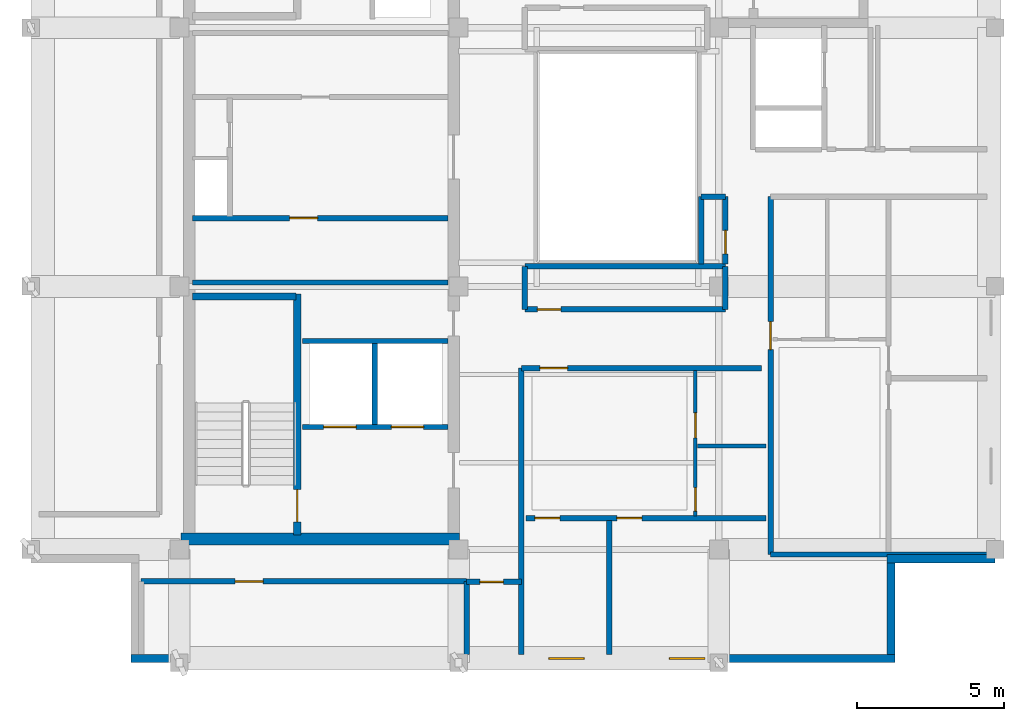
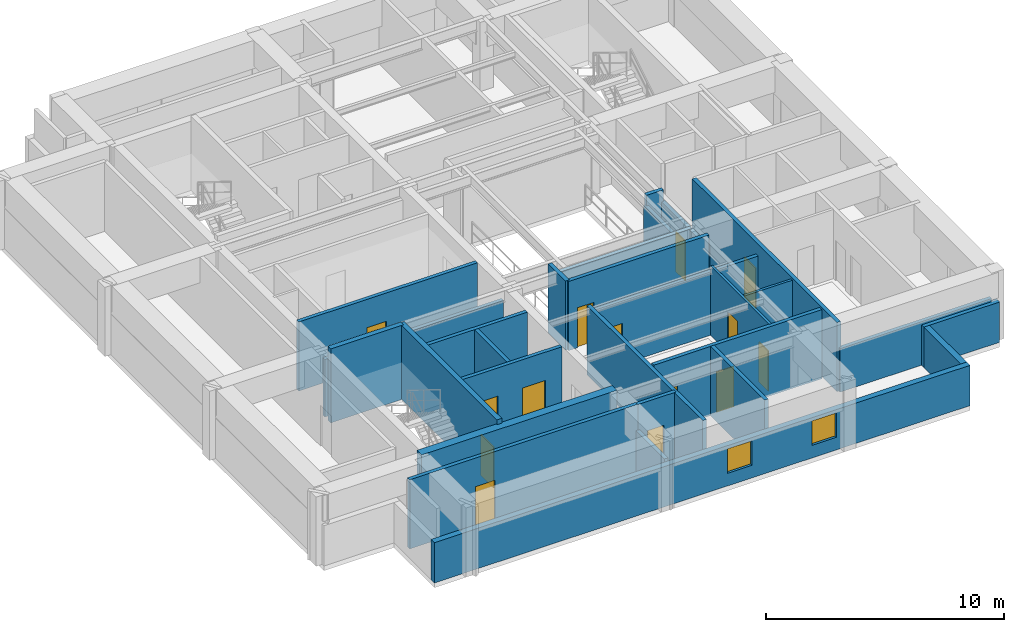
# One storey, part 2 of 6: 29 walls, 14 doors, 2 windows, 16 openings.
"""IFC4 building model written with IfcOpenShell, lengths in metres."""

from ifc_helpers import new_model, si_unit, direction, frame, frame_2d, origin, place, context, subcontext, project, spatial, rectangle, extrude, material, layer, layer_set, type_object, element, fill, save


model = new_model("IFC4")

# Units and contexts
model_context = context("Model", 3, precision=1e-05, world=origin(), true_north=direction((0.0, 1.0)))
body_context = subcontext(model_context, "Body", "Model", "MODEL_VIEW")
ifc_project = project(units=[si_unit("LENGTHUNIT", "METRE"), si_unit("AREAUNIT", "SQUARE_METRE"), si_unit("VOLUMEUNIT", "CUBIC_METRE"), si_unit("PLANEANGLEUNIT", "RADIAN"), si_unit("MASSUNIT", "GRAM", prefix="KILO")], contexts=[model_context])

# Site, building, storey
site_placement = place(None, origin())
site = spatial("IfcSite", under=ifc_project, at=site_placement, CompositionType="ELEMENT")
building_placement = place(site_placement, origin())
building = spatial("IfcBuilding", under=site, at=building_placement, Name="Kundavana Baori Tower", CompositionType="ELEMENT")
storey_placement = place(building_placement, frame((0.0, 0.0, 339.10009765625)))
storey = spatial("IfcBuildingStorey", under=building, at=storey_placement, Name="L84", CompositionType="ELEMENT", Elevation=339.10009765625)

# Wall
ifc_material_1 = material(Name="Concrete C50/60", Category="concrete")
ifc_layer_1 = layer(ifc_material_1, 0.39990234375, Name="WL-CORE-400")
ifc_layer_set_1 = layer_set([ifc_layer_1], Name="Concrete C50/60")
wall_type_1 = type_object("IfcWallType", Name="WL-CORE-400", PredefinedType="SHEAR", material=ifc_layer_set_1)
wall_1_placement = place(storey_placement, frame((15.5, 15.610107421875, 0.0), z_axis=(0.0, 0.0, 1.0), x_axis=(1.0, 0.0, 0.0)))
element("IfcWall", 1, at=wall_1_placement, inside=storey, type_object=wall_type_1, Name="L84 Offset Core South Shear Wall", PredefinedType="SHEAR", context=body_context, shape_type="SweptSolid", body=[
    extrude(rectangle(XDim=9.47998046875, YDim=0.39990234375, at=frame_2d((4.739990234375, 0.0))), origin(), (0.0, 0.0, 1.0), 3.5498046875),
])

# Wall, opening, door
wall_2_placement = place(storey_placement, frame((19.4599609375, 15.739990234375, 0.0), z_axis=(0.0, 0.0, 1.0), x_axis=(0.0, 1.0, 0.0)))
wall_2 = element("IfcWall", 2, at=wall_2_placement, inside=storey, type_object=wall_type_1, Name="WL-L84-ST1-E", PredefinedType="SHEAR", context=body_context, shape_type="SweptSolid", body=[
    extrude(rectangle(XDim=8.199951171875, YDim=0.239990234375, at=frame_2d((4.10009765625, 0.0))), origin(), (0.0, 0.0, 1.0), 3.7998046875),
])
opening_1_placement = place(wall_2_placement, frame((0.449951171875, 0.0, 0.0)))
opening_1 = element("IfcOpeningElement", 3, at=opening_1_placement, cuts=wall_2, Name="Opening FD-110", PredefinedType="OPENING", context=body_context, shape_type="SweptSolid", body=[
    extrude(rectangle(XDim=1.10009765625, YDim=2.10009765625, at=frame_2d((0.550048828125, 1.050048828125))), frame((0.0, 0.1298828125, 0.0), z_axis=(0.0, -1.0, 0.0), x_axis=(1.0, 0.0, 0.0)), (0.0, 0.0, 1.0), 0.260009765625),
])
ifc_material_2 = material(Name="Galvanised Steel Fire-Rated Door Leaf", Category="steel")
door_type_1 = type_object("IfcDoorType", Name="DR-FD120-1100", OperationType="NOTDEFINED", PredefinedType="DOOR", material=ifc_material_2)
door_1_placement = place(opening_1_placement, origin())
door_1 = element("IfcDoor", 4, at=door_1_placement, inside=storey, type_object=door_type_1, Name="DR-L84-ST1", OperationType="SINGLE_SWING_LEFT", OverallHeight=2.10009765625, OverallWidth=1.10009765625, PredefinedType="DOOR", context=body_context, shape_type="SweptSolid", body=[
    extrude(rectangle(XDim=1.10009765625, YDim=2.10009765625, at=frame_2d((0.550048828125, 1.050048828125))), frame((0.0, 0.02490234375, 0.0), z_axis=(0.0, -1.0, 0.0), x_axis=(1.0, 0.0, 0.0)), (0.0, 0.0, 1.0), 0.050048828125),
])
fill(opening_1, door_1)

# Wall
wall_3_placement = place(storey_placement, frame((15.89990234375, 23.860107421875, 0.0), z_axis=(0.0, 0.0, 1.0), x_axis=(1.0, 0.0, 0.0)))
element("IfcWall", 5, at=wall_3_placement, inside=storey, type_object=wall_type_1, Name="WL-L84-ST1-N", PredefinedType="SHEAR", context=body_context, shape_type="SweptSolid", body=[
    extrude(rectangle(XDim=3.52001953125, YDim=0.239990234375, at=frame_2d((1.760009765625, 0.0))), origin(), (0.0, 0.0, 1.0), 3.7998046875),
])

# Wall, openings, windows
ifc_material_3 = material(Name="Red-Buff Dholpur Sandstone Cladding on Concrete C40/50", Category="masonry")
ifc_layer_2 = layer(ifc_material_3, 0.280029296875, Name="WL-EXT-SAND-280")
ifc_layer_set_2 = layer_set([ifc_layer_2], Name="Red-Buff Dholpur Sandstone Cladding on Concrete C40/50")
wall_type_2 = type_object("IfcWallType", Name="WL-EXT-SAND-280", PredefinedType="STANDARD", material=ifc_layer_set_2)
wall_4_placement = place(storey_placement, frame((13.800048828125, 11.5400390625, 0.0), z_axis=(0.0, 0.0, 1.0), x_axis=(1.0, 0.0, 0.0)))
wall_4 = element("IfcWall", 6, at=wall_4_placement, inside=storey, type_object=wall_type_2, Name="L84 Exterior Insulated Facade Wall 01", PredefinedType="STANDARD", context=body_context, shape_type="SweptSolid", body=[
    extrude(rectangle(XDim=26.0, YDim=0.280029296875, at=frame_2d((13.0, 0.0))), origin(), (0.0, 0.0, 1.0), 2.06982421875),
])
opening_2_placement = place(wall_4_placement, frame((14.219970703125, 0.0, 0.64990234375)))
opening_2 = element("IfcOpeningElement", 7, at=opening_2_placement, cuts=wall_4, Name="Opening W-12", PredefinedType="OPENING", context=body_context, shape_type="SweptSolid", body=[
    extrude(rectangle(XDim=1.199951171875, YDim=1.25, at=frame_2d((0.60009765625, 0.625))), frame((0.0, 0.14990234375, 0.0), z_axis=(0.0, -1.0, 0.0), x_axis=(1.0, 0.0, 0.0)), (0.0, 0.0, 1.0), 0.300048828125),
])
opening_3_placement = place(wall_4_placement, frame((18.321044921875, 0.0, 0.64990234375)))
opening_3 = element("IfcOpeningElement", 8, at=opening_3_placement, cuts=wall_4, Name="Opening W-12", PredefinedType="OPENING", context=body_context, shape_type="SweptSolid", body=[
    extrude(rectangle(XDim=1.199951171875, YDim=1.25, at=frame_2d((0.60009765625, 0.625))), frame((0.0, 0.14990234375, 0.0), z_axis=(0.0, -1.0, 0.0), x_axis=(1.0, 0.0, 0.0)), (0.0, 0.0, 1.0), 0.300048828125),
])
ifc_material_4 = material(Name="Double-Glazed Solar-Control Low-E Insulated Glass", Category="glass")
window_type = type_object("IfcWindowType", Name="WIN-TRN-1200x1250", PartitioningType="SINGLE_PANEL", PredefinedType="WINDOW", material=ifc_material_4)
window_1_placement = place(opening_2_placement, origin())
window_1 = element("IfcWindow", 9, at=window_1_placement, inside=storey, type_object=window_type, Name="L84 Dwelling Outlook Window DW-2", OverallHeight=1.25, OverallWidth=1.199951171875, PartitioningType="SINGLE_PANEL", PredefinedType="WINDOW", context=body_context, shape_type="SweptSolid", body=[
    extrude(rectangle(XDim=1.199951171875, YDim=1.25, at=frame_2d((0.60009765625, 0.625))), frame((0.0, 0.030029296875, 0.0), z_axis=(0.0, -1.0, 0.0), x_axis=(1.0, 0.0, 0.0)), (0.0, 0.0, 1.0), 0.06005859375),
])
fill(opening_2, window_1)
window_2_placement = place(opening_3_placement, origin())
window_2 = element("IfcWindow", 10, at=window_2_placement, inside=storey, type_object=window_type, Name="L84 Dwelling Outlook Window DW-3", OverallHeight=1.25, OverallWidth=1.199951171875, PartitioningType="SINGLE_PANEL", PredefinedType="WINDOW", context=body_context, shape_type="SweptSolid", body=[
    extrude(rectangle(XDim=1.199951171875, YDim=1.25, at=frame_2d((0.60009765625, 0.625))), frame((0.0, 0.030029296875, 0.0), z_axis=(0.0, -1.0, 0.0), x_axis=(1.0, 0.0, 0.0)), (0.0, 0.0, 1.0), 0.06005859375),
])
fill(opening_3, window_2)

# Walls
wall_5_placement = place(storey_placement, frame((39.659912109375, 11.679931640625, 0.0), z_axis=(0.0, 0.0, 1.0), x_axis=(0.0, 1.0, 0.0)))
element("IfcWall", 11, at=wall_5_placement, inside=storey, type_object=wall_type_2, Name="L84 Exterior Insulated Facade Wall 02", PredefinedType="STANDARD", context=body_context, shape_type="SweptSolid", body=[
    extrude(rectangle(XDim=3.1201171875, YDim=0.280029296875, at=frame_2d((1.56005859375, 0.0))), origin(), (0.0, 0.0, 1.0), 2.06982421875),
])
wall_6_placement = place(storey_placement, frame((39.52001953125, 14.93994140625, 0.0), z_axis=(0.0, 0.0, 1.0), x_axis=(1.0, 0.0, 0.0)))
element("IfcWall", 12, at=wall_6_placement, inside=storey, type_object=wall_type_2, Name="L84 Exterior Insulated Facade Wall 03", PredefinedType="STANDARD", context=body_context, shape_type="SweptSolid", body=[
    extrude(rectangle(XDim=3.679931640625, YDim=0.280029296875, at=frame_2d((1.83984375, 0.0))), origin(), (0.0, 0.0, 1.0), 2.06982421875),
])

# Wall, opening, door
ifc_material_5 = material(Name="Autoclaved Aerated Concrete Blockwork Masonry", Category="masonry")
ifc_layer_3 = layer(ifc_material_5, 0.18505859375, Name="WL-PART-180")
ifc_layer_set_3 = layer_set([ifc_layer_3], Name="Autoclaved Aerated Concrete Blockwork Masonry")
wall_type_3 = type_object("IfcWallType", Name="WL-PART-180", PredefinedType="SOLIDWALL", material=ifc_layer_set_3)
wall_7_placement = place(storey_placement, frame((27.080078125, 21.419921875, 0.0), z_axis=(0.0, 0.0, 1.0), x_axis=(1.0, 0.0, 0.0)))
wall_7 = element("IfcWall", 13, at=wall_7_placement, inside=storey, type_object=wall_type_3, Name="WL-L84-RS", PredefinedType="SOLIDWALL", context=body_context, shape_type="SweptSolid", body=[
    extrude(rectangle(XDim=8.169921875, YDim=0.18505859375, at=frame_2d((4.0849609375, 0.0))), origin(), (0.0, 0.0, 1.0), 3.25),
])
opening_4_placement = place(wall_7_placement, frame((0.6298828125, 0.0, 0.0)))
opening_4 = element("IfcOpeningElement", 14, at=opening_4_placement, cuts=wall_7, Name="Opening FD-095", PredefinedType="OPENING", context=body_context, shape_type="SweptSolid", body=[
    extrude(rectangle(XDim=0.949951171875, YDim=2.10009765625, at=frame_2d((0.47509765625, 1.050048828125))), frame((0.0, 0.1025390625, 0.0), z_axis=(0.0, -1.0, 0.0), x_axis=(1.0, 0.0, 0.0)), (0.0, 0.0, 1.0), 0.205078125),
])
ifc_material_6 = material(Name="Engineered Teak Fire-Rated Timber Door Leaf", Category="wood")
door_type_2 = type_object("IfcDoorType", Name="DR-FD60-950", OperationType="NOTDEFINED", PredefinedType="DOOR", material=ifc_material_6)
door_2_placement = place(opening_4_placement, frame((0.949951171875, 0.0, 0.0), z_axis=(0.0, 0.0, 1.0), x_axis=(-1.0, 0.0, 0.0)))
door_2 = element("IfcDoor", 15, at=door_2_placement, inside=storey, type_object=door_type_2, Name="DR-L84-S1-ENT", OperationType="SINGLE_SWING_RIGHT", OverallHeight=2.10009765625, OverallWidth=0.949951171875, PredefinedType="DOOR", context=body_context, shape_type="SweptSolid", body=[
    extrude(rectangle(XDim=0.949951171875, YDim=2.10009765625, at=frame_2d((0.47509765625, 1.050048828125))), frame((0.0, 0.02490234375, 0.0), z_axis=(0.0, -1.0, 0.0), x_axis=(1.0, 0.0, 0.0)), (0.0, 0.0, 1.0), 0.050048828125),
])
fill(opening_4, door_2)

# Wall
wall_8_placement = place(storey_placement, frame((27.080078125, 11.679931640625, 0.0), z_axis=(0.0, 0.0, 1.0), x_axis=(0.0, 1.0, 0.0)))
element("IfcWall", 16, at=wall_8_placement, inside=storey, type_object=wall_type_3, Name="WL-L84-RSW", PredefinedType="SOLIDWALL", context=body_context, shape_type="SweptSolid", body=[
    extrude(rectangle(XDim=9.739990234375, YDim=0.18505859375, at=frame_2d((4.8701171875, 0.0))), origin(), (0.0, 0.0, 1.0), 3.5498046875),
])

# Wall, opening, door
wall_9_placement = place(storey_placement, frame((14.14990234375, 14.169921875, 0.0), z_axis=(0.0, 0.0, 1.0), x_axis=(1.0, 0.0, 0.0)))
wall_9 = element("IfcWall", 17, at=wall_9_placement, inside=storey, type_object=wall_type_3, Name="WL-L84-RSC", PredefinedType="SOLIDWALL", context=body_context, shape_type="SweptSolid", body=[
    extrude(rectangle(XDim=11.070068359375, YDim=0.18505859375, at=frame_2d((5.53515625, 0.0))), origin(), (0.0, 0.0, 1.0), 3.5498046875),
])
opening_5_placement = place(wall_9_placement, frame((3.199951171875, 0.0, 0.0)))
opening_5 = element("IfcOpeningElement", 18, at=opening_5_placement, cuts=wall_9, Name="Opening ID-095", PredefinedType="OPENING", context=body_context, shape_type="SweptSolid", body=[
    extrude(rectangle(XDim=0.949951171875, YDim=2.080078125, at=frame_2d((0.47509765625, 1.0400390625))), frame((0.0, 0.1025390625, 0.0), z_axis=(0.0, -1.0, 0.0), x_axis=(1.0, 0.0, 0.0)), (0.0, 0.0, 1.0), 0.205078125),
])
ifc_material_7 = material(Name="Engineered Teak Solid-Core Timber Veneer", Category="wood")
door_type_3 = type_object("IfcDoorType", Name="DR-INT-950", OperationType="NOTDEFINED", PredefinedType="DOOR", material=ifc_material_7)
door_3_placement = place(opening_5_placement, frame((0.949951171875, 0.0, 0.0), z_axis=(0.0, 0.0, 1.0), x_axis=(-1.0, 0.0, 0.0)))
door_3 = element("IfcDoor", 19, at=door_3_placement, inside=storey, type_object=door_type_3, Name="DR-L84-RMSW", OperationType="SINGLE_SWING_LEFT", OverallHeight=2.080078125, OverallWidth=0.949951171875, PredefinedType="DOOR", context=body_context, shape_type="SweptSolid", body=[
    extrude(rectangle(XDim=0.949951171875, YDim=2.080078125, at=frame_2d((0.47509765625, 1.0400390625))), frame((0.0, 0.02490234375, 0.0), z_axis=(0.0, -1.0, 0.0), x_axis=(1.0, 0.0, 0.0)), (0.0, 0.0, 1.0), 0.050048828125),
])
fill(opening_5, door_3)

# Wall
wall_10_placement = place(storey_placement, frame((25.219970703125, 11.679931640625, 0.0), z_axis=(0.0, 0.0, 1.0), x_axis=(0.0, 1.0, 0.0)))
element("IfcWall", 20, at=wall_10_placement, inside=storey, type_object=wall_type_3, Name="WL-L84-RSCE", PredefinedType="SOLIDWALL", context=body_context, shape_type="SweptSolid", body=[
    extrude(rectangle(XDim=2.489990234375, YDim=0.18505859375, at=frame_2d((1.2451171875, 0.0))), origin(), (0.0, 0.0, 1.0), 2.22998046875),
])

# Wall, openings, doors
wall_11_placement = place(storey_placement, frame((27.239990234375, 16.31689453125, 0.0), z_axis=(0.0, 0.0, 1.0), x_axis=(1.0, 0.0, 0.0)))
wall_11 = element("IfcWall", 21, at=wall_11_placement, inside=storey, type_object=wall_type_3, Name="WL-L84-S1-HZ", PredefinedType="SOLIDWALL", context=body_context, shape_type="SweptSolid", body=[
    extrude(rectangle(XDim=8.159912109375, YDim=0.18505859375, at=frame_2d((4.080078125, 0.0))), origin(), (0.0, 0.0, 1.0), 3.5498046875),
])
opening_6_placement = place(wall_11_placement, frame((0.300048828125, 0.0, 0.0)))
opening_6 = element("IfcOpeningElement", 22, at=opening_6_placement, cuts=wall_11, Name="Opening ID-085", PredefinedType="OPENING", context=body_context, shape_type="SweptSolid", body=[
    extrude(rectangle(XDim=0.85009765625, YDim=2.080078125, at=frame_2d((0.425048828125, 1.0400390625))), frame((0.0, 0.1025390625, 0.0), z_axis=(0.0, -1.0, 0.0), x_axis=(1.0, 0.0, 0.0)), (0.0, 0.0, 1.0), 0.205078125),
])
opening_7_placement = place(wall_11_placement, frame((3.090087890625, 0.0, 0.0)))
opening_7 = element("IfcOpeningElement", 23, at=opening_7_placement, cuts=wall_11, Name="Opening ID-085", PredefinedType="OPENING", context=body_context, shape_type="SweptSolid", body=[
    extrude(rectangle(XDim=0.85009765625, YDim=2.080078125, at=frame_2d((0.425048828125, 1.0400390625))), frame((0.0, 0.1025390625, 0.0), z_axis=(0.0, -1.0, 0.0), x_axis=(1.0, 0.0, 0.0)), (0.0, 0.0, 1.0), 0.205078125),
])
ifc_material_8 = material(Name="Engineered Teak Solid-Core Timber Veneer", Category="wood")
door_type_4 = type_object("IfcDoorType", Name="DR-INT-850", OperationType="NOTDEFINED", PredefinedType="DOOR", material=ifc_material_8)
door_4_placement = place(opening_6_placement, frame((0.85009765625, 0.0, 0.0), z_axis=(0.0, 0.0, 1.0), x_axis=(-1.0, 0.0, 0.0)))
door_4 = element("IfcDoor", 24, at=door_4_placement, inside=storey, type_object=door_type_4, Name="DR-L84-S1-B1", OperationType="SINGLE_SWING_LEFT", OverallHeight=2.080078125, OverallWidth=0.85009765625, PredefinedType="DOOR", context=body_context, shape_type="SweptSolid", body=[
    extrude(rectangle(XDim=0.85009765625, YDim=2.080078125, at=frame_2d((0.425048828125, 1.0400390625))), frame((0.0, 0.02490234375, 0.0), z_axis=(0.0, -1.0, 0.0), x_axis=(1.0, 0.0, 0.0)), (0.0, 0.0, 1.0), 0.050048828125),
])
fill(opening_6, door_4)
door_5_placement = place(opening_7_placement, frame((0.85009765625, 0.0, 0.0), z_axis=(0.0, 0.0, 1.0), x_axis=(-1.0, 0.0, 0.0)))
door_5 = element("IfcDoor", 25, at=door_5_placement, inside=storey, type_object=door_type_4, Name="DR-L84-S1-B2", OperationType="SINGLE_SWING_RIGHT", OverallHeight=2.080078125, OverallWidth=0.85009765625, PredefinedType="DOOR", context=body_context, shape_type="SweptSolid", body=[
    extrude(rectangle(XDim=0.85009765625, YDim=2.080078125, at=frame_2d((0.425048828125, 1.0400390625))), frame((0.0, 0.02490234375, 0.0), z_axis=(0.0, -1.0, 0.0), x_axis=(1.0, 0.0, 0.0)), (0.0, 0.0, 1.0), 0.050048828125),
])
fill(opening_7, door_5)

# Wall
wall_12_placement = place(storey_placement, frame((30.080078125, 11.679931640625, 0.0), z_axis=(0.0, 0.0, 1.0), x_axis=(0.0, 1.0, 0.0)))
element("IfcWall", 26, at=wall_12_placement, inside=storey, type_object=wall_type_3, Name="WL-L84-S1-BDV", PredefinedType="SOLIDWALL", context=body_context, shape_type="SweptSolid", body=[
    extrude(rectangle(XDim=4.55712890625, YDim=0.18505859375, at=frame_2d((2.278564453125, 0.0))), origin(), (0.0, 0.0, 1.0), 3.5498046875),
])

# Wall, opening, door
wall_13_placement = place(storey_placement, frame((35.56005859375, 15.080078125, 0.0), z_axis=(0.0, 0.0, 1.0), x_axis=(0.0, 1.0, 0.0)))
wall_13 = element("IfcWall", 27, at=wall_13_placement, inside=storey, type_object=wall_type_3, Name="WL-L84-CSE", PredefinedType="SOLIDWALL", context=body_context, shape_type="SweptSolid", body=[
    extrude(rectangle(XDim=12.169921875, YDim=0.18505859375, at=frame_2d((6.0849609375, 0.0))), origin(), (0.0, 0.0, 1.0), 3.5498046875),
])
opening_8_placement = place(wall_13_placement, frame((6.969970703125, 0.0, 0.0)))
opening_8 = element("IfcOpeningElement", 28, at=opening_8_placement, cuts=wall_13, Name="Opening FD-095", PredefinedType="OPENING", context=body_context, shape_type="SweptSolid", body=[
    extrude(rectangle(XDim=0.949951171875, YDim=2.10009765625, at=frame_2d((0.47509765625, 1.050048828125))), frame((0.0, 0.1025390625, 0.0), z_axis=(0.0, -1.0, 0.0), x_axis=(1.0, 0.0, 0.0)), (0.0, 0.0, 1.0), 0.205078125),
])
door_6_placement = place(opening_8_placement, origin())
door_6 = element("IfcDoor", 29, at=door_6_placement, inside=storey, type_object=door_type_2, Name="DR-L84-SE1-ENT", OperationType="SINGLE_SWING_LEFT", OverallHeight=2.10009765625, OverallWidth=0.949951171875, PredefinedType="DOOR", context=body_context, shape_type="SweptSolid", body=[
    extrude(rectangle(XDim=0.949951171875, YDim=2.10009765625, at=frame_2d((0.47509765625, 1.050048828125))), frame((0.0, 0.02490234375, 0.0), z_axis=(0.0, -1.0, 0.0), x_axis=(1.0, 0.0, 0.0)), (0.0, 0.0, 1.0), 0.050048828125),
])
fill(opening_8, door_6)

# Wall
wall_14_placement = place(storey_placement, frame((35.56005859375, 15.080078125, 0.0), z_axis=(0.0, 0.0, 1.0), x_axis=(1.0, 0.0, 0.0)))
element("IfcWall", 30, at=wall_14_placement, inside=storey, type_object=wall_type_3, Name="WL-L84-CSES", PredefinedType="SOLIDWALL", context=body_context, shape_type="SweptSolid", body=[
    extrude(rectangle(XDim=7.35986328125, YDim=0.18505859375, at=frame_2d((3.679931640625, 0.0))), origin(), (0.0, 0.0, 1.0), 2.22998046875),
])

# Wall, opening, door
wall_15_placement = place(storey_placement, frame((27.199951171875, 23.419921875, 0.0), z_axis=(0.0, 0.0, 1.0), x_axis=(1.0, 0.0, 0.0)))
wall_15 = element("IfcWall", 31, at=wall_15_placement, inside=storey, type_object=wall_type_3, Name="WL-L84-ALS", PredefinedType="SOLIDWALL", context=body_context, shape_type="SweptSolid", body=[
    extrude(rectangle(XDim=6.820068359375, YDim=0.18505859375, at=frame_2d((3.41015625, 0.0))), origin(), (0.0, 0.0, 1.0), 3.5498046875),
])
opening_9_placement = place(wall_15_placement, frame((0.429931640625, 0.0, 0.0)))
opening_9 = element("IfcOpeningElement", 32, at=opening_9_placement, cuts=wall_15, Name="Opening WD-080", PredefinedType="OPENING", context=body_context, shape_type="SweptSolid", body=[
    extrude(rectangle(XDim=0.800048828125, YDim=2.050048828125, at=frame_2d((0.39990234375, 1.02490234375))), frame((0.0, 0.1025390625, 0.0), z_axis=(0.0, -1.0, 0.0), x_axis=(1.0, 0.0, 0.0)), (0.0, 0.0, 1.0), 0.205078125),
])
ifc_material_9 = material(Name="Engineered Teak Solid-Core Timber Veneer", Category="wood")
door_type_5 = type_object("IfcDoorType", Name="DR-WET-800", OperationType="NOTDEFINED", PredefinedType="DOOR", material=ifc_material_9)
door_7_placement = place(opening_9_placement, origin())
door_7 = element("IfcDoor", 33, at=door_7_placement, inside=storey, type_object=door_type_5, Name="DR-L84-RALC1", OperationType="SINGLE_SWING_LEFT", OverallHeight=2.050048828125, OverallWidth=0.800048828125, PredefinedType="DOOR", context=body_context, shape_type="SweptSolid", body=[
    extrude(rectangle(XDim=0.800048828125, YDim=2.050048828125, at=frame_2d((0.39990234375, 1.02490234375))), frame((0.0, 0.02490234375, 0.0), z_axis=(0.0, -1.0, 0.0), x_axis=(1.0, 0.0, 0.0)), (0.0, 0.0, 1.0), 0.050048828125),
])
fill(opening_9, door_7)

# Walls
wall_16_placement = place(storey_placement, frame((27.199951171875, 24.8798828125, 0.0), z_axis=(0.0, 0.0, 1.0), x_axis=(1.0, 0.0, 0.0)))
element("IfcWall", 34, at=wall_16_placement, inside=storey, type_object=wall_type_3, Name="WL-L84-ALN", PredefinedType="SOLIDWALL", context=body_context, shape_type="SweptSolid", body=[
    extrude(rectangle(XDim=6.820068359375, YDim=0.18505859375, at=frame_2d((3.41015625, 0.0))), origin(), (0.0, 0.0, 1.0), 3.0),
])
wall_17_placement = place(storey_placement, frame((27.199951171875, 23.419921875, 0.0), z_axis=(0.0, 0.0, 1.0), x_axis=(0.0, 1.0, 0.0)))
element("IfcWall", 35, at=wall_17_placement, inside=storey, type_object=wall_type_3, Name="WL-L84-ALW", PredefinedType="SOLIDWALL", context=body_context, shape_type="SweptSolid", body=[
    extrude(rectangle(XDim=1.4599609375, YDim=0.18505859375, at=frame_2d((0.72998046875, 0.0))), origin(), (0.0, 0.0, 1.0), 3.5498046875),
])
wall_18_placement = place(storey_placement, frame((34.02001953125, 23.419921875, 0.0), z_axis=(0.0, 0.0, 1.0), x_axis=(0.0, 1.0, 0.0)))
element("IfcWall", 36, at=wall_18_placement, inside=storey, type_object=wall_type_3, Name="WL-L84-ALE", PredefinedType="SOLIDWALL", context=body_context, shape_type="SweptSolid", body=[
    extrude(rectangle(XDim=1.4599609375, YDim=0.18505859375, at=frame_2d((0.72998046875, 0.0))), origin(), (0.0, 0.0, 1.0), 2.949951171875),
])
wall_19_placement = place(storey_placement, frame((33.199951171875, 24.9599609375, 0.0), z_axis=(0.0, 0.0, 1.0), x_axis=(0.0, 1.0, 0.0)))
element("IfcWall", 37, at=wall_19_placement, inside=storey, type_object=wall_type_3, Name="WL-L84-CEAW", PredefinedType="SOLIDWALL", context=body_context, shape_type="SweptSolid", body=[
    extrude(rectangle(XDim=2.2900390625, YDim=0.18505859375, at=frame_2d((1.14501953125, 0.0))), origin(), (0.0, 0.0, 1.0), 3.0),
])

# Wall, opening, door
wall_20_placement = place(storey_placement, frame((34.02001953125, 24.9599609375, 0.0), z_axis=(0.0, 0.0, 1.0), x_axis=(0.0, 1.0, 0.0)))
wall_20 = element("IfcWall", 38, at=wall_20_placement, inside=storey, type_object=wall_type_3, Name="WL-L84-CEAE", PredefinedType="SOLIDWALL", context=body_context, shape_type="SweptSolid", body=[
    extrude(rectangle(XDim=2.2900390625, YDim=0.18505859375, at=frame_2d((1.14501953125, 0.0))), origin(), (0.0, 0.0, 1.0), 2.949951171875),
])
opening_10_placement = place(wall_20_placement, frame((0.35009765625, 0.0, 0.0)))
opening_10 = element("IfcOpeningElement", 39, at=opening_10_placement, cuts=wall_20, Name="Opening WD-080", PredefinedType="OPENING", context=body_context, shape_type="SweptSolid", body=[
    extrude(rectangle(XDim=0.800048828125, YDim=2.050048828125, at=frame_2d((0.39990234375, 1.02490234375))), frame((0.0, 0.1025390625, 0.0), z_axis=(0.0, -1.0, 0.0), x_axis=(1.0, 0.0, 0.0)), (0.0, 0.0, 1.0), 0.205078125),
])
door_8_placement = place(opening_10_placement, origin())
door_8 = element("IfcDoor", 40, at=door_8_placement, inside=storey, type_object=door_type_5, Name="DR-L84-CSTE", OperationType="SINGLE_SWING_LEFT", OverallHeight=2.050048828125, OverallWidth=0.800048828125, PredefinedType="DOOR", context=body_context, shape_type="SweptSolid", body=[
    extrude(rectangle(XDim=0.800048828125, YDim=2.050048828125, at=frame_2d((0.39990234375, 1.02490234375))), frame((0.0, 0.02490234375, 0.0), z_axis=(0.0, -1.0, 0.0), x_axis=(1.0, 0.0, 0.0)), (0.0, 0.0, 1.0), 0.050048828125),
])
fill(opening_10, door_8)

# Wall
wall_21_placement = place(storey_placement, frame((33.199951171875, 27.25, 0.0), z_axis=(0.0, 0.0, 1.0), x_axis=(1.0, 0.0, 0.0)))
element("IfcWall", 41, at=wall_21_placement, inside=storey, type_object=wall_type_3, Name="WL-L84-CEAN", PredefinedType="SOLIDWALL", context=body_context, shape_type="SweptSolid", body=[
    extrude(rectangle(XDim=0.820068359375, YDim=0.18505859375, at=frame_2d((0.41015625, 0.0))), origin(), (0.0, 0.0, 1.0), 3.5498046875),
])

# Wall, opening, door
wall_22_placement = place(storey_placement, frame((25.219970703125, 14.14990234375, 0.0), z_axis=(0.0, 0.0, 1.0), x_axis=(1.0, 0.0, 0.0)))
wall_22 = element("IfcWall", 42, at=wall_22_placement, inside=storey, type_object=wall_type_3, Name="WL-L84-CSCN", PredefinedType="SOLIDWALL", context=body_context, shape_type="SweptSolid", body=[
    extrude(rectangle(XDim=1.860107421875, YDim=0.18505859375, at=frame_2d((0.93017578125, 0.0))), origin(), (0.0, 0.0, 1.0), 3.5498046875),
])
opening_11_placement = place(wall_22_placement, frame((0.449951171875, 0.0, 0.0)))
opening_11 = element("IfcOpeningElement", 43, at=opening_11_placement, cuts=wall_22, Name="Opening WD-080", PredefinedType="OPENING", context=body_context, shape_type="SweptSolid", body=[
    extrude(rectangle(XDim=0.800048828125, YDim=2.050048828125, at=frame_2d((0.39990234375, 1.02490234375))), frame((0.0, 0.1025390625, 0.0), z_axis=(0.0, -1.0, 0.0), x_axis=(1.0, 0.0, 0.0)), (0.0, 0.0, 1.0), 0.205078125),
])
door_9_placement = place(opening_11_placement, origin())
door_9 = element("IfcDoor", 44, at=door_9_placement, inside=storey, type_object=door_type_5, Name="DR-L84-CSCS", OperationType="SINGLE_SWING_LEFT", OverallHeight=2.050048828125, OverallWidth=0.800048828125, PredefinedType="DOOR", context=body_context, shape_type="SweptSolid", body=[
    extrude(rectangle(XDim=0.800048828125, YDim=2.050048828125, at=frame_2d((0.39990234375, 1.02490234375))), frame((0.0, 0.02490234375, 0.0), z_axis=(0.0, -1.0, 0.0), x_axis=(1.0, 0.0, 0.0)), (0.0, 0.0, 1.0), 0.050048828125),
])
fill(opening_11, door_9)

# Wall, openings, doors
ifc_material_10 = material(Name="Autoclaved Aerated Concrete Blockwork Masonry", Category="masonry")
ifc_layer_4 = layer(ifc_material_10, 0.179931640625, Name="WL-SHAFT-180")
ifc_layer_set_4 = layer_set([ifc_layer_4], Name="Autoclaved Aerated Concrete Blockwork Masonry")
wall_type_4 = type_object("IfcWallType", Name="WL-SHAFT-180", PredefinedType="SOLIDWALL", material=ifc_layer_set_4)
wall_23_placement = place(storey_placement, frame((19.639892578125, 19.419921875, 0.0), z_axis=(0.0, 0.0, 1.0), x_axis=(1.0, 0.0, 0.0)))
wall_23 = element("IfcWall", 45, at=wall_23_placement, inside=storey, type_object=wall_type_4, Name="WL-L84-FFL-S", PredefinedType="SOLIDWALL", context=body_context, shape_type="SweptSolid", body=[
    extrude(rectangle(XDim=4.940185546875, YDim=0.179931640625, at=frame_2d((2.47021484375, 0.0))), origin(), (0.0, 0.0, 1.0), 3.5498046875),
])
opening_12_placement = place(wall_23_placement, frame((0.719970703125, 0.0, 0.0)))
opening_12 = element("IfcOpeningElement", 46, at=opening_12_placement, cuts=wall_23, Name="Opening LD-110", PredefinedType="OPENING", context=body_context, shape_type="SweptSolid", body=[
    extrude(rectangle(XDim=1.10009765625, YDim=2.10009765625, at=frame_2d((0.550048828125, 1.050048828125))), frame((0.0, 0.10009765625, 0.0), z_axis=(0.0, -1.0, 0.0), x_axis=(1.0, 0.0, 0.0)), (0.0, 0.0, 1.0), 0.199951171875),
])
opening_13_placement = place(wall_23_placement, frame((3.02001953125, 0.0, 0.0)))
opening_13 = element("IfcOpeningElement", 47, at=opening_13_placement, cuts=wall_23, Name="Opening LD-110", PredefinedType="OPENING", context=body_context, shape_type="SweptSolid", body=[
    extrude(rectangle(XDim=1.10009765625, YDim=2.10009765625, at=frame_2d((0.550048828125, 1.050048828125))), frame((0.0, 0.10009765625, 0.0), z_axis=(0.0, -1.0, 0.0), x_axis=(1.0, 0.0, 0.0)), (0.0, 0.0, 1.0), 0.199951171875),
])
ifc_material_11 = material(Name="Galvanised Steel Fire-Rated Door Leaf", Category="steel")
door_type_6 = type_object("IfcDoorType", Name="DR-SLIDE-LD1100", OperationType="NOTDEFINED", PredefinedType="DOOR", material=ifc_material_11)
door_10_placement = place(opening_12_placement, origin())
door_10 = element("IfcDoor", 48, at=door_10_placement, inside=storey, type_object=door_type_6, Name="DR-L84-LD-FFL-1", OperationType="DOUBLE_DOOR_SLIDING", OverallHeight=2.10009765625, OverallWidth=1.10009765625, PredefinedType="DOOR", context=body_context, shape_type="SweptSolid", body=[
    extrude(rectangle(XDim=1.10009765625, YDim=2.10009765625, at=frame_2d((0.550048828125, 1.050048828125))), frame((0.0, 0.02490234375, 0.0), z_axis=(0.0, -1.0, 0.0), x_axis=(1.0, 0.0, 0.0)), (0.0, 0.0, 1.0), 0.050048828125),
])
fill(opening_12, door_10)
door_11_placement = place(opening_13_placement, origin())
door_11 = element("IfcDoor", 49, at=door_11_placement, inside=storey, type_object=door_type_6, Name="DR-L84-LD-FFL-2", OperationType="DOUBLE_DOOR_SLIDING", OverallHeight=2.10009765625, OverallWidth=1.10009765625, PredefinedType="DOOR", context=body_context, shape_type="SweptSolid", body=[
    extrude(rectangle(XDim=1.10009765625, YDim=2.10009765625, at=frame_2d((0.550048828125, 1.050048828125))), frame((0.0, 0.02490234375, 0.0), z_axis=(0.0, -1.0, 0.0), x_axis=(1.0, 0.0, 0.0)), (0.0, 0.0, 1.0), 0.050048828125),
])
fill(opening_13, door_11)

# Walls
wall_24_placement = place(storey_placement, frame((22.10009765625, 19.510009765625, 0.0), z_axis=(0.0, 0.0, 1.0), x_axis=(0.0, 1.0, 0.0)))
element("IfcWall", 50, at=wall_24_placement, inside=storey, type_object=wall_type_4, Name="WL-L84-FFL-MID", PredefinedType="SOLIDWALL", context=body_context, shape_type="SweptSolid", body=[
    extrude(rectangle(XDim=2.739990234375, YDim=0.179931640625, at=frame_2d((1.3701171875, 0.0))), origin(), (0.0, 0.0, 1.0), 3.5498046875),
])
wall_25_placement = place(storey_placement, frame((19.639892578125, 22.340087890625, 0.0), z_axis=(0.0, 0.0, 1.0), x_axis=(1.0, 0.0, 0.0)))
element("IfcWall", 51, at=wall_25_placement, inside=storey, type_object=wall_type_4, Name="WL-L84-FFL-N", PredefinedType="SOLIDWALL", context=body_context, shape_type="SweptSolid", body=[
    extrude(rectangle(XDim=4.940185546875, YDim=0.179931640625, at=frame_2d((2.47021484375, 0.0))), origin(), (0.0, 0.0, 1.0), 3.5498046875),
])

# Wall, opening, door
wall_26_placement = place(storey_placement, frame((15.89990234375, 26.52001953125, 0.0), z_axis=(0.0, 0.0, 1.0), x_axis=(1.0, 0.0, 0.0)))
wall_26 = element("IfcWall", 52, at=wall_26_placement, inside=storey, type_object=wall_type_4, Name="WL-L84-LPLOW-N", PredefinedType="SOLIDWALL", context=body_context, shape_type="SweptSolid", body=[
    extrude(rectangle(XDim=8.68017578125, YDim=0.179931640625, at=frame_2d((4.340087890625, 0.0))), origin(), (0.0, 0.0, 1.0), 3.5498046875),
])
opening_14_placement = place(wall_26_placement, frame((3.300048828125, 0.0, 0.0)))
opening_14 = element("IfcOpeningElement", 53, at=opening_14_placement, cuts=wall_26, Name="Opening FD-095", PredefinedType="OPENING", context=body_context, shape_type="SweptSolid", body=[
    extrude(rectangle(XDim=0.949951171875, YDim=2.10009765625, at=frame_2d((0.47509765625, 1.050048828125))), frame((0.0, 0.10009765625, 0.0), z_axis=(0.0, -1.0, 0.0), x_axis=(1.0, 0.0, 0.0)), (0.0, 0.0, 1.0), 0.199951171875),
])
door_12_placement = place(opening_14_placement, origin())
door_12 = element("IfcDoor", 54, at=door_12_placement, inside=storey, type_object=door_type_2, Name="DR-L84-FRLOW1", OperationType="SINGLE_SWING_LEFT", OverallHeight=2.10009765625, OverallWidth=0.949951171875, PredefinedType="DOOR", context=body_context, shape_type="SweptSolid", body=[
    extrude(rectangle(XDim=0.949951171875, YDim=2.10009765625, at=frame_2d((0.47509765625, 1.050048828125))), frame((0.0, 0.02490234375, 0.0), z_axis=(0.0, -1.0, 0.0), x_axis=(1.0, 0.0, 0.0)), (0.0, 0.0, 1.0), 0.050048828125),
])
fill(opening_14, door_12)

# Wall
wall_27_placement = place(storey_placement, frame((15.89990234375, 24.330078125, 0.0), z_axis=(0.0, 0.0, 1.0), x_axis=(1.0, 0.0, 0.0)))
element("IfcWall", 55, at=wall_27_placement, inside=storey, type_object=wall_type_4, Name="WL-L84-LPLOW-S", PredefinedType="SOLIDWALL", context=body_context, shape_type="SweptSolid", body=[
    extrude(rectangle(XDim=8.68017578125, YDim=0.179931640625, at=frame_2d((4.340087890625, 0.0))), origin(), (0.0, 0.0, 1.0), 2.949951171875),
])

# Wall, openings, doors
ifc_material_12 = material(Name="Autoclaved Aerated Concrete Blockwork Masonry", Category="masonry")
ifc_layer_5 = layer(ifc_material_12, 0.125, Name="WL-WET-120")
ifc_layer_set_5 = layer_set([ifc_layer_5], Name="Autoclaved Aerated Concrete Blockwork Masonry")
wall_type_5 = type_object("IfcWallType", Name="WL-WET-120", PredefinedType="PLUMBINGWALL", material=ifc_layer_set_5)
wall_28_placement = place(storey_placement, frame((33.0, 16.39697265625, 0.0), z_axis=(0.0, 0.0, 1.0), x_axis=(0.0, 1.0, 0.0)))
wall_28 = element("IfcWall", 56, at=wall_28_placement, inside=storey, type_object=wall_type_5, Name="WL-L84-S1-KT", PredefinedType="PLUMBINGWALL", context=body_context, shape_type="SweptSolid", body=[
    extrude(rectangle(XDim=4.943115234375, YDim=0.125, at=frame_2d((2.4716796875, 0.0))), origin(), (0.0, 0.0, 1.0), 3.5498046875),
])
opening_15_placement = place(wall_28_placement, frame((0.159912109375, 0.0, 0.0)))
opening_15 = element("IfcOpeningElement", 57, at=opening_15_placement, cuts=wall_28, Name="Opening WD-080", PredefinedType="OPENING", context=body_context, shape_type="SweptSolid", body=[
    extrude(rectangle(XDim=0.800048828125, YDim=2.050048828125, at=frame_2d((0.39990234375, 1.02490234375))), frame((0.0, 0.072509765625, 0.0), z_axis=(0.0, -1.0, 0.0), x_axis=(1.0, 0.0, 0.0)), (0.0, 0.0, 1.0), 0.14501953125),
])
opening_16_placement = place(wall_28_placement, frame((2.653076171875, 0.0, 0.0)))
opening_16 = element("IfcOpeningElement", 58, at=opening_16_placement, cuts=wall_28, Name="Opening ID-085", PredefinedType="OPENING", context=body_context, shape_type="SweptSolid", body=[
    extrude(rectangle(XDim=0.85009765625, YDim=2.080078125, at=frame_2d((0.425048828125, 1.0400390625))), frame((0.0, 0.072509765625, 0.0), z_axis=(0.0, -1.0, 0.0), x_axis=(1.0, 0.0, 0.0)), (0.0, 0.0, 1.0), 0.14501953125),
])
door_13_placement = place(opening_16_placement, origin())
door_13 = element("IfcDoor", 59, at=door_13_placement, inside=storey, type_object=door_type_4, Name="DR-L84-S1-KT", OperationType="SINGLE_SWING_RIGHT", OverallHeight=2.080078125, OverallWidth=0.85009765625, PredefinedType="DOOR", context=body_context, shape_type="SweptSolid", body=[
    extrude(rectangle(XDim=0.85009765625, YDim=2.080078125, at=frame_2d((0.425048828125, 1.0400390625))), frame((0.0, 0.02490234375, 0.0), z_axis=(0.0, -1.0, 0.0), x_axis=(1.0, 0.0, 0.0)), (0.0, 0.0, 1.0), 0.050048828125),
])
fill(opening_16, door_13)
door_14_placement = place(opening_15_placement, origin())
door_14 = element("IfcDoor", 60, at=door_14_placement, inside=storey, type_object=door_type_5, Name="DR-L84-S1-BT", OperationType="SINGLE_SWING_LEFT", OverallHeight=2.050048828125, OverallWidth=0.800048828125, PredefinedType="DOOR", context=body_context, shape_type="SweptSolid", body=[
    extrude(rectangle(XDim=0.800048828125, YDim=2.050048828125, at=frame_2d((0.39990234375, 1.02490234375))), frame((0.0, 0.02490234375, 0.0), z_axis=(0.0, -1.0, 0.0), x_axis=(1.0, 0.0, 0.0)), (0.0, 0.0, 1.0), 0.050048828125),
])
fill(opening_15, door_14)

# Wall
wall_29_placement = place(storey_placement, frame((33.080078125, 18.77001953125, 0.0), z_axis=(0.0, 0.0, 1.0), x_axis=(1.0, 0.0, 0.0)))
element("IfcWall", 61, at=wall_29_placement, inside=storey, type_object=wall_type_5, Name="WL-L84-S1-BT", PredefinedType="PLUMBINGWALL", context=body_context, shape_type="SweptSolid", body=[
    extrude(rectangle(XDim=2.31982421875, YDim=0.125, at=frame_2d((1.159912109375, 0.0))), origin(), (0.0, 0.0, 1.0), 3.5498046875),
])

save(model, "model.ifc")
